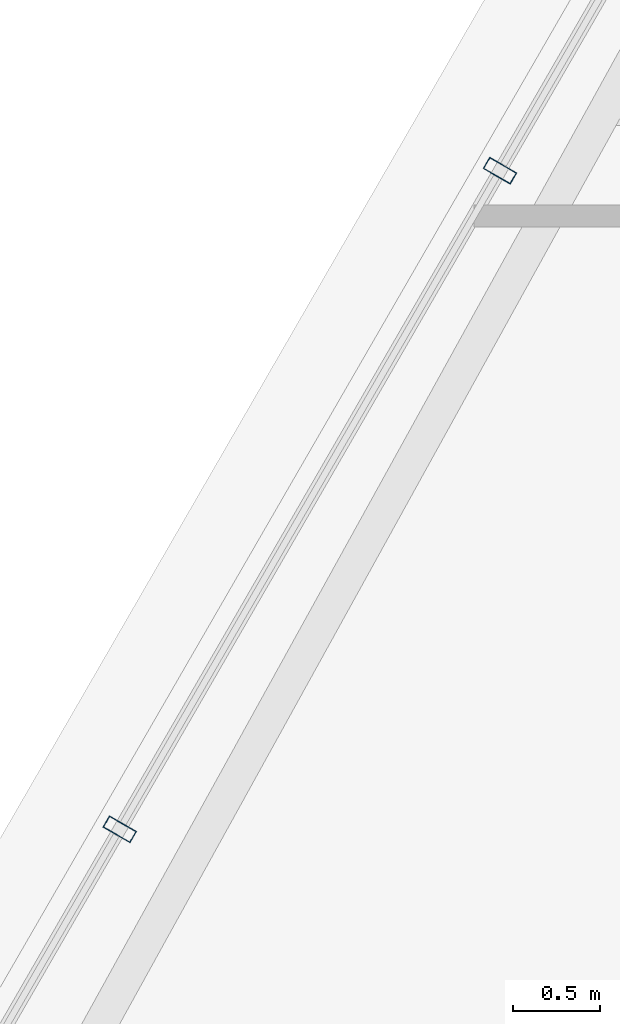
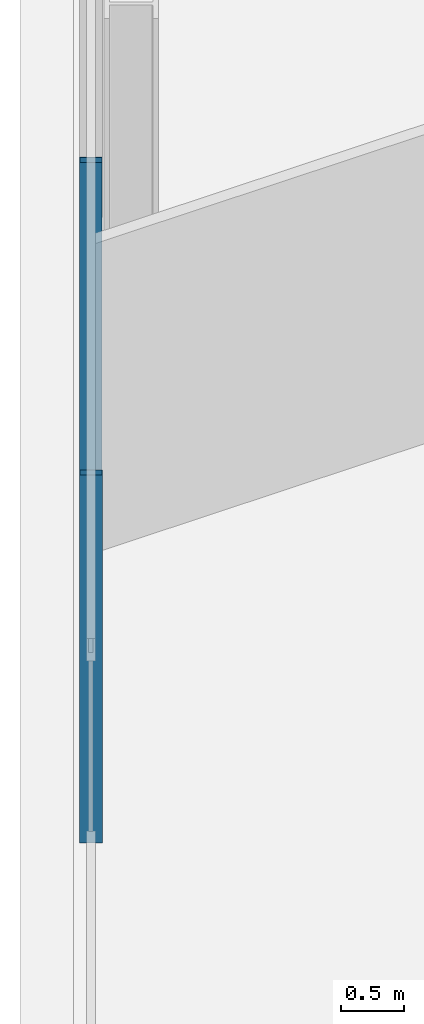
# One storey, part 10 of 29: 2 members, 1 element without a shape of its own.
"""IFC4 building model written with IfcOpenShell, lengths in metres."""

from ifc_helpers import new_model, si_unit, direction, frame, origin, origin_2d, place, context, subcontext, project, spatial, hollow_rectangle, extrude, material, layer, layer_set, material_profile, profile_set, type_object, element, aggregate, save


model = new_model("IFC4")

# Units and contexts
model_context = context("Model", 3, precision=1e-05, world=origin(), true_north=direction((0.0, 1.0)))
body_context = subcontext(model_context, "Body", "Model", "MODEL_VIEW")
ifc_project = project(units=[si_unit("LENGTHUNIT", "METRE"), si_unit("AREAUNIT", "SQUARE_METRE"), si_unit("VOLUMEUNIT", "CUBIC_METRE"), si_unit("PLANEANGLEUNIT", "RADIAN"), si_unit("MASSUNIT", "GRAM", prefix="KILO")], contexts=[model_context])

# Site, building, storey
site_placement = place(None, origin())
site = spatial("IfcSite", under=ifc_project, at=site_placement, CompositionType="ELEMENT")
building_placement = place(site_placement, origin())
building = spatial("IfcBuilding", under=site, at=building_placement, Name="Ndaravel Arena Tower", CompositionType="ELEMENT")
storey_placement = place(building_placement, frame((0.0, 0.0, 229.39990234375)))
storey = spatial("IfcBuildingStorey", under=building, at=storey_placement, Name="L55", CompositionType="ELEMENT", Elevation=229.39990234375)

# Curtain wall, members
ifc_material_1 = material(Name="Aluminium", Category="aluminium")
ifc_layer = layer(ifc_material_1, 0.179931640625)
ifc_layer_set = layer_set([ifc_layer], Name="Aluminium")
curtain_wall_type = type_object("IfcCurtainWallType", Name="CW-SYS-03", PredefinedType="NOTDEFINED", material=ifc_layer_set)
curtain_wall_placement = place(storey_placement, origin())
curtain_wall = element("IfcCurtainWall", 1, at=curtain_wall_placement, inside=storey, type_object=curtain_wall_type, Name="L55 Faceted Crystal Curtain Wall CW-L55-E05", PredefinedType="NOTDEFINED")
ifc_material_2 = material(Name="Aluminium", Category="aluminium")
ifc_material_profile = material_profile(ifc_material_2, hollow_rectangle(XDim=0.074951171875, YDim=0.179931640625, WallThickness=0.00390625, at=origin_2d()), Name="CW MULLION 75x180x4")
ifc_profile_set = profile_set([ifc_material_profile], Name="Aluminium")
member_type = type_object("IfcMemberType", Name="MEM-CW-MUL180", PredefinedType="MULLION", material=ifc_profile_set)
member_1_placement = place(storey_placement, frame((27.52880859375, 26.458984375, 0.0), z_axis=(0.0, 0.0, 1.0), x_axis=(-0.5, -0.866025403784, 0.0)))
member_1 = element("IfcMember", 2, at=member_1_placement, type_object=member_type, Name="CW-L55-E05 Mullion 05", PredefinedType="MULLION", context=body_context, shape_type="SweptSolid", body=[
    extrude(hollow_rectangle(XDim=0.074951171875, YDim=0.179931640625, WallThickness=0.00390625, at=origin_2d()), origin(), (0.0, 0.0, 1.0), 3.580078125),
])
member_2_placement = place(storey_placement, frame((25.3544921875, 22.69287109375, 0.0), z_axis=(0.0, 0.0, 1.0), x_axis=(-0.5, -0.866025403784, 0.0)))
member_2 = element("IfcMember", 3, at=member_2_placement, type_object=member_type, Name="CW-L55-E05 Mullion 06", PredefinedType="MULLION", context=body_context, shape_type="SweptSolid", body=[
    extrude(hollow_rectangle(XDim=0.074951171875, YDim=0.179931640625, WallThickness=0.00390625, at=origin_2d()), origin(), (0.0, 0.0, 1.0), 3.580078125),
])
aggregate(curtain_wall, [member_1, member_2])

save(model, "model.ifc")
